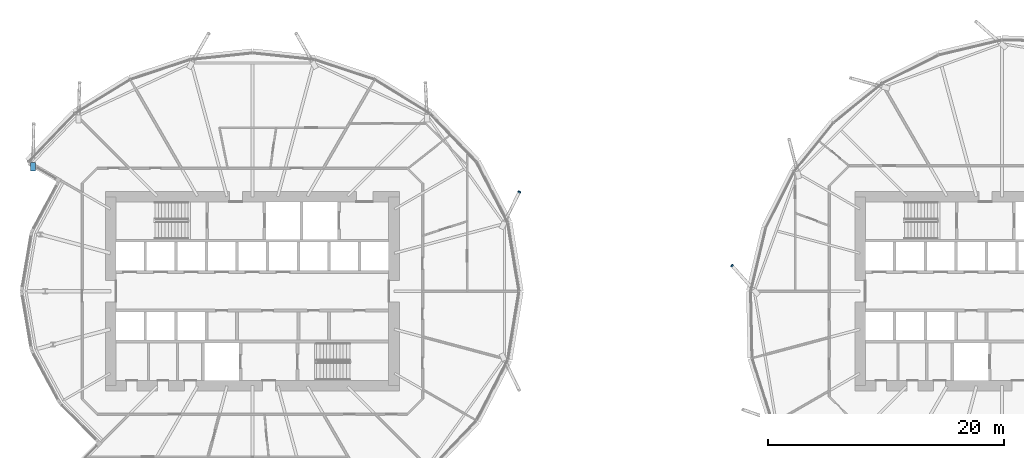
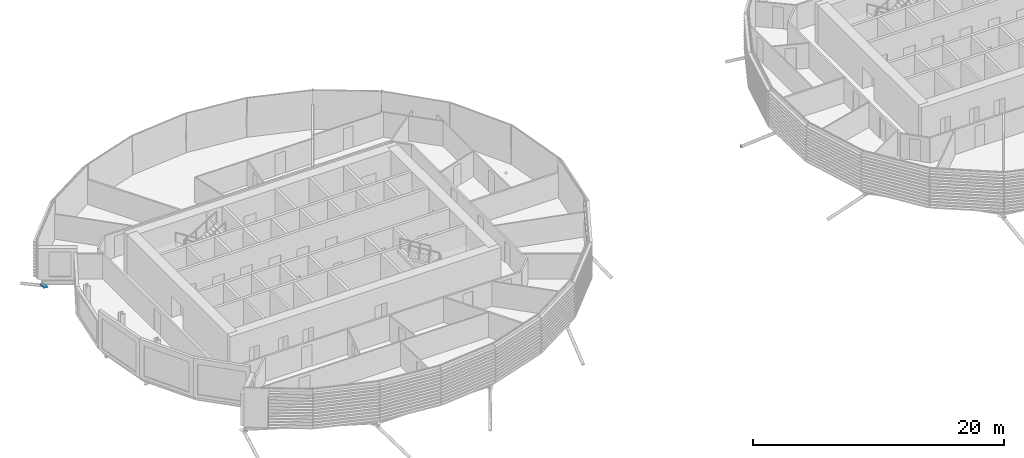
# One storey, part 29 of 38: 3 discrete accessories.
"""IFC4 building model written with IfcOpenShell, lengths in metres."""

from ifc_helpers import new_model, si_unit, direction, frame, origin, origin_2d, place, context, subcontext, project, spatial, polyline, rectangle, circle, outline, extrude, material, material_profile, profile_set, type_object, element, save


model = new_model("IFC4")

# Units and contexts
model_context = context("Model", 3, precision=1e-05, world=origin(), true_north=direction((0.0, 1.0)))
body_context = subcontext(model_context, "Body", "Model", "MODEL_VIEW")
ifc_project = project(units=[si_unit("LENGTHUNIT", "METRE"), si_unit("AREAUNIT", "SQUARE_METRE"), si_unit("VOLUMEUNIT", "CUBIC_METRE"), si_unit("PLANEANGLEUNIT", "RADIAN"), si_unit("MASSUNIT", "GRAM", prefix="KILO")], contexts=[model_context])

# Site, building, storey
site_placement = place(None, origin())
site = spatial("IfcSite", under=ifc_project, at=site_placement, CompositionType="ELEMENT")
building_placement = place(site_placement, origin())
building = spatial("IfcBuilding", under=site, at=building_placement, Name="Rimbun Link Towers", CompositionType="ELEMENT")
storey_placement = place(building_placement, frame((0.0, 0.0, 49.0)))
storey = spatial("IfcBuildingStorey", under=building, at=storey_placement, Name="L11", CompositionType="ELEMENT", Elevation=49.0)

# Discrete accessories
ifc_material_1 = material(Name="Steel S355J2H", Category="steel")
ifc_material_profile_1 = material_profile(ifc_material_1, circle(Radius=0.1240234375, at=origin_2d()), Name="PL D248")
ifc_profile_set_1 = profile_set([ifc_material_profile_1], Name="Steel S355J2H")
discrete_accessory_type_1 = type_object("IfcDiscreteAccessoryType", Name="Link foot sealing plate D248X20", PredefinedType="BRACKET", material=ifc_profile_set_1)
for number, where, z_axis, x_axis, name in (
    (1, (-9.138427734375, 8.3984375, -2.769287109375), (0.370483322605, 0.753316089298, -0.543375539821), (-0.897349966121, 0.441319655469, 0.0), "Link foot sealing plate T1 L11 01"),
    (2, (8.891357421875, 2.155517578125, -2.715087890625), (-0.552199200683, 0.613554667426, -0.564470294032), (-0.743294146247, -0.668964731622, 0.0), "Link foot sealing plate T2 L11 09"),
):
    element("IfcDiscreteAccessory", number, at=place(storey_placement, frame(where, z_axis=z_axis, x_axis=x_axis)), inside=storey, type_object=discrete_accessory_type_1, Name=name, PredefinedType="BRACKET", context=body_context, shape_type="SweptSolid", body=[
        extrude(circle(Radius=0.1240234375, at=origin_2d()), origin(), (0.0, 0.0, 1.0), 0.019775390625),
    ])
ifc_material_2 = material(Name="Steel S355J2H", Category="steel")
ifc_material_profile_2 = material_profile(ifc_material_2, rectangle(XDim=0.43310546875, YDim=0.43310546875, at=origin_2d()), Name="PL 433x433")
ifc_profile_set_2 = profile_set([ifc_material_profile_2], Name="Steel S355J2H")
discrete_accessory_type_2 = type_object("IfcDiscreteAccessoryType", Name="Link head end plate 433X20", PredefinedType="BRACKET", material=ifc_profile_set_2)
discrete_accessory_placement = place(storey_placement, frame((0.0, 0.0, -0.58642578125)))
element("IfcDiscreteAccessory", 3, at=discrete_accessory_placement, inside=storey, type_object=discrete_accessory_type_2, Name="Link head end plate T1 L11 10", PredefinedType="BRACKET", context=body_context, shape_type="SweptSolid", body=[
    extrude(outline(polyline([(-50.1240234375, 10.181396484375), (-50.113525390625, 10.90673828125), (-50.54638671875, 10.9130859375), (-50.556884765625, 10.187744140625), (-50.1240234375, 10.181396484375)])), origin(), (0.0, 0.0, 1.0), 0.02001953125),
])

save(model, "model.ifc")
